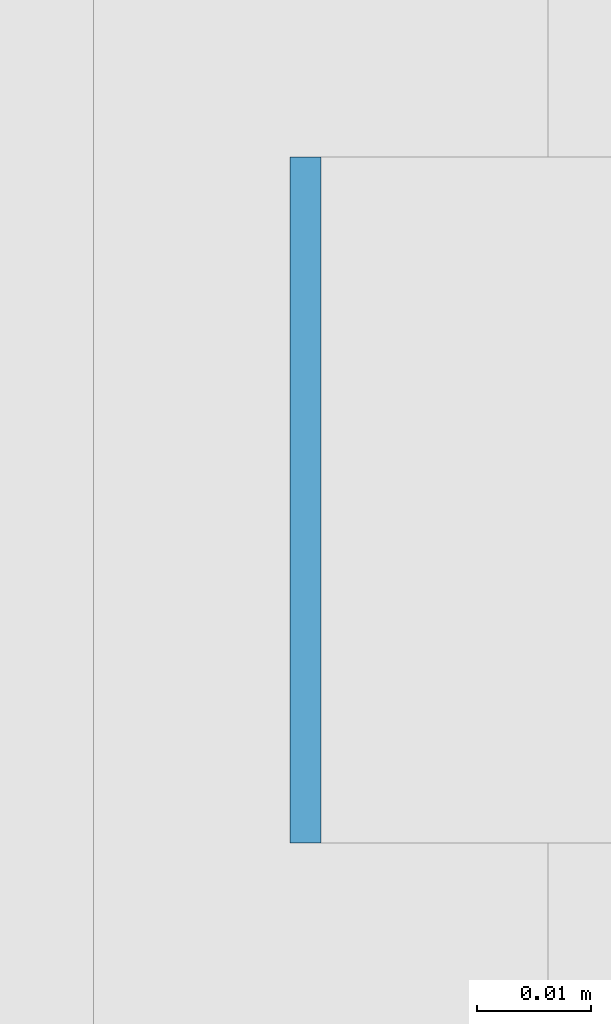
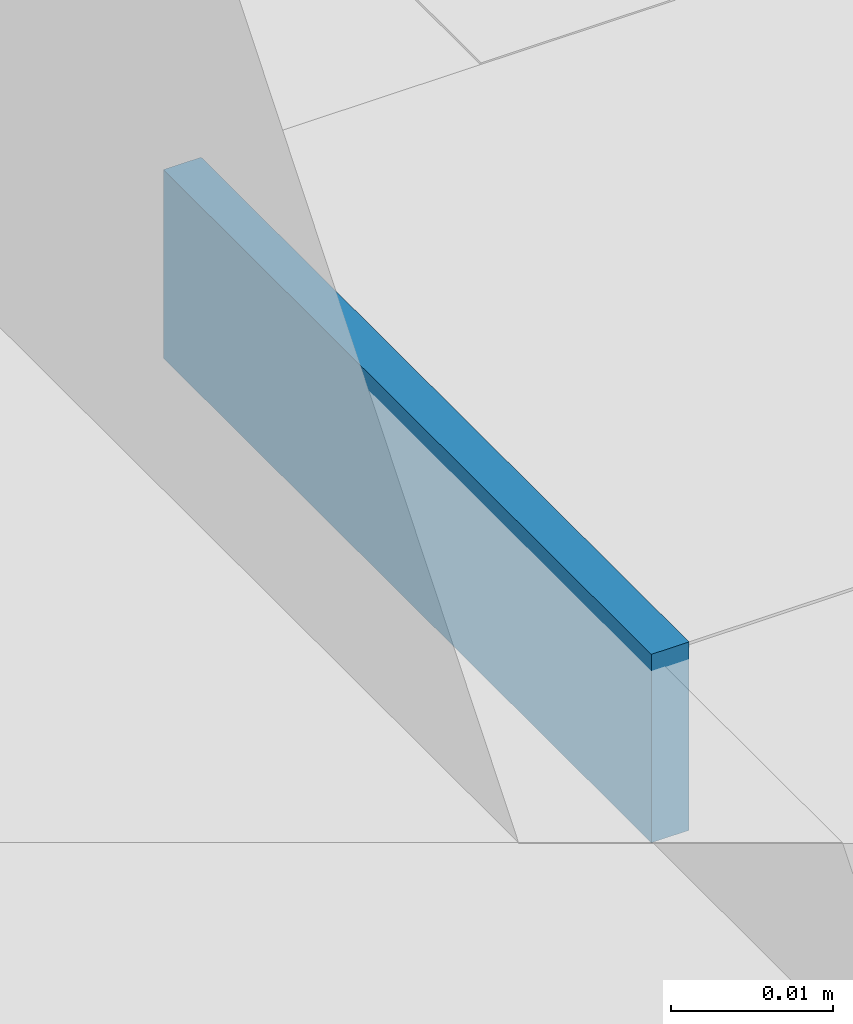
# One storey, part 495 of 646: 1 discrete accessory.
"""IFC4 building model written with IfcOpenShell, lengths in metres."""

import ifcopenshell
import ifcopenshell.guid

model = None  # the IFC model being written
_history = None  # IfcOwnerHistory: only IFC2X3 demands one
_inside = {}  # id of a spatial element -> (the spatial element, [elements in it])
_under = {}  # id of a project, library or spatial element -> (it, [spatial elements below it])
_declared = {}  # id of a project -> (the project, [libraries it declares])
_typed = {}  # id of a type object -> (the type object, [elements of that type])
_made_of = {}  # id of a material, layer set ... -> (it, [elements and type objects made of it])


def new_model(schema):
    """Start an empty IFC model of exactly this schema.

    Asked for "IFC4X3", IfcOpenShell would pick the latest addendum, in which some entities
    have other attributes; the version numbers below select the first issue.
    IFC2X3 requires an IfcOwnerHistory on every rooted entity: one is made here for all.
    """
    global model, _history
    if schema == "IFC4X3":
        model = ifcopenshell.file(schema_version=(4, 3, 0, 0))
    else:
        model = ifcopenshell.file(schema=schema)
    _inside.clear()
    _under.clear()
    _declared.clear()
    _typed.clear()
    _made_of.clear()
    _history = None
    if model.schema == "IFC2X3":
        org = make("IfcOrganization", Name="unknown")
        user = make(
            "IfcPersonAndOrganization",
            ThePerson=make("IfcPerson", FamilyName="unknown"),
            TheOrganization=org,
        )
        app = make(
            "IfcApplication",
            ApplicationDeveloper=org,
            Version="unknown",
            ApplicationFullName="unknown",
            ApplicationIdentifier="unknown",
        )
        _history = make(
            "IfcOwnerHistory",
            OwningUser=user,
            OwningApplication=app,
            ChangeAction="ADDED",
            CreationDate=0,
        )
    return model


def make(cls, **values):
    """One entity of the class cls with the attributes given. An attribute that is None is left unset."""
    return model.create_entity(
        cls, **{name: value for name, value in values.items() if value is not None}
    )


def rooted(cls, **values):
    """An entity with a GlobalId (a new one), such as an element, a storey or a relation."""
    return make(cls, GlobalId=ifcopenshell.guid.new(), OwnerHistory=_history, **values)


def si_unit(unit_type, name, prefix=None):
    """IfcSIUnit, for example si_unit("LENGTHUNIT", "METRE", prefix="MILLI")."""
    return make("IfcSIUnit", UnitType=unit_type, Prefix=prefix, Name=name)


def assignment(units):
    """IfcUnitAssignment: the units of a project."""
    return None if units is None else make("IfcUnitAssignment", Units=units)


def point(xyz):
    """IfcCartesianPoint."""
    return None if xyz is None else make("IfcCartesianPoint", Coordinates=xyz)


def direction(xyz):
    """IfcDirection."""
    return None if xyz is None else make("IfcDirection", DirectionRatios=xyz)


def frame(location, z_axis=None, x_axis=None):
    """IfcAxis2Placement3D, a coordinate frame: its origin and axes. An axis left out is left unset."""
    return make(
        "IfcAxis2Placement3D",
        Location=point(location),
        Axis=direction(z_axis),
        RefDirection=direction(x_axis),
    )


def frame_2d(location, x_axis=None):
    """IfcAxis2Placement2D, a coordinate frame in the plane: its origin and x axis."""
    return make(
        "IfcAxis2Placement2D", Location=point(location), RefDirection=direction(x_axis)
    )


def origin():
    """The frame at (0, 0, 0) with its axes left unset."""
    return frame((0.0, 0.0, 0.0))


def origin_2d():
    """The frame at (0, 0) in the plane with its x axis left unset."""
    return frame_2d((0.0, 0.0))


def place(relative_to, where):
    """IfcLocalPlacement: puts the frame where relative to a parent placement (None: the world)."""
    return make(
        "IfcLocalPlacement", PlacementRelTo=relative_to, RelativePlacement=where
    )


def context(
    kind, dimensions, precision=None, world=None, true_north=None, identifier=None
):
    """IfcGeometricRepresentationContext, for example the 3D "Model" context."""
    return make(
        "IfcGeometricRepresentationContext",
        ContextIdentifier=identifier,
        ContextType=kind,
        CoordinateSpaceDimension=dimensions,
        Precision=precision,
        WorldCoordinateSystem=world,
        TrueNorth=true_north,
    )


def subcontext(parent, identifier, kind, view, scale=None):
    """IfcGeometricRepresentationSubContext, for example "Body" below "Model"."""
    return make(
        "IfcGeometricRepresentationSubContext",
        ContextIdentifier=identifier,
        ContextType=kind,
        ParentContext=parent,
        TargetScale=scale,
        TargetView=view,
    )


def project(units=None, contexts=None):
    """IfcProject with its units and contexts."""
    return rooted(
        "IfcProject",
        Name="project",
        RepresentationContexts=contexts,
        UnitsInContext=assignment(units),
    )


def spatial(cls, under=None, at=None, **own):
    """A site, building, storey or space (cls), placed at a placement, below another one or the project."""
    s = rooted(cls, ObjectPlacement=at, **own)
    if under is not None:
        _under.setdefault(under.id(), (under, []))[1].append(s)
    return s


def profile(cls, at=None, kind="AREA", **sizes):
    """A parametric profile (cls). Its sizes go by their IFC names, for example OverallWidth=200.0."""
    return make(cls, ProfileType=kind, Position=at, **sizes)


def rectangle(**sizes):
    """IfcRectangleProfileDef."""
    return profile("IfcRectangleProfileDef", **sizes)


def extrude(swept, where, along, depth):
    """IfcExtrudedAreaSolid: the profile swept, set in the frame where, extruded along a direction by depth."""
    return make(
        "IfcExtrudedAreaSolid",
        SweptArea=swept,
        Position=where,
        ExtrudedDirection=direction(along),
        Depth=depth,
    )


def shape(context_of_items, identifier, shape_type, items):
    """IfcShapeRepresentation: the items that make up one representation, for example the "Body"."""
    return make(
        "IfcShapeRepresentation",
        ContextOfItems=context_of_items,
        RepresentationIdentifier=identifier,
        RepresentationType=shape_type,
        Items=items,
    )


def material(Name=None, Category=None):
    """IfcMaterial."""
    return make("IfcMaterial", Name=Name, Category=Category)


def made_of(thing, what):
    """Note that an element or type object is made of a material, layer set ...; save() writes the relation."""
    if what is not None:
        _made_of.setdefault(what.id(), (what, []))[1].append(thing)
    return thing


def type_object(cls, material=None, **own):
    """A type object (cls), such as IfcWallType, which elements share."""
    return made_of(rooted(cls, **own), material)


def element(
    cls,
    number,
    at=None,
    inside=None,
    cuts=None,
    type_object=None,
    material=None,
    context=None,
    identifier="Body",
    shape_type=None,
    held_by="IfcProductDefinitionShape",
    body=None,
    shapes=None,
    **own,
):
    """One element of the class cls, such as IfcWall. Its Tag is "e" and its number.

    at: its placement. inside: the storey or other place that contains it. cuts: it is an
    opening in that element (IfcRelVoidsElement). A single representation is given by context,
    identifier, shape_type and body (its items); several are given by shapes. held_by: the class
    of the entity that holds the representations. save() writes the other relations.
    """
    e = rooted(cls, Tag="e%d" % number, ObjectPlacement=at, **own)
    if body is not None:
        shapes = [shape(context, identifier, shape_type, body)]
    if shapes is not None:
        e.Representation = make(held_by, Representations=shapes)
    if inside is not None:
        _inside.setdefault(inside.id(), (inside, []))[1].append(e)
    if cuts is not None:
        rooted(
            "IfcRelVoidsElement", RelatingBuildingElement=cuts, RelatedOpeningElement=e
        )
    if type_object is not None:
        _typed.setdefault(type_object.id(), (type_object, []))[1].append(e)
    return made_of(e, material)


def aggregate(whole, parts):
    """IfcRelAggregates: a whole, such as a stair, and the parts it consists of."""
    return rooted("IfcRelAggregates", RelatingObject=whole, RelatedObjects=parts)


def save(model, path):
    """Write the relations noted so far, then the file.

    IfcRelAggregates (storeys below a building ...), IfcRelContainedInSpatialStructure (elements
    in a storey), IfcRelDefinesByType, IfcRelAssociatesMaterial and IfcRelDeclares: one each for
    every whole, place, type object, material and project.
    """
    for whole, parts in _under.values():
        aggregate(whole, parts)
    for where, things in _inside.values():
        rooted(
            "IfcRelContainedInSpatialStructure",
            RelatedElements=things,
            RelatingStructure=where,
        )
    for kind, things in _typed.values():
        rooted("IfcRelDefinesByType", RelatedObjects=things, RelatingType=kind)
    for what, things in _made_of.values():
        rooted("IfcRelAssociatesMaterial", RelatedObjects=things, RelatingMaterial=what)
    for by, libraries in _declared.values():
        rooted("IfcRelDeclares", RelatingContext=by, RelatedDefinitions=libraries)
    model.write(path)


model = new_model("IFC4")

# Units and contexts
model_context = context("Model", 3, precision=1e-05, world=origin(), true_north=direction((0.0, 1.0)))
body_context = subcontext(model_context, "Body", "Model", "MODEL_VIEW")
ifc_project = project(units=[si_unit("LENGTHUNIT", "METRE"), si_unit("AREAUNIT", "SQUARE_METRE"), si_unit("VOLUMEUNIT", "CUBIC_METRE"), si_unit("PLANEANGLEUNIT", "RADIAN"), si_unit("MASSUNIT", "GRAM", prefix="KILO")], contexts=[model_context])

# Site, building, storey
site_placement = place(None, origin())
site = spatial("IfcSite", under=ifc_project, at=site_placement, CompositionType="ELEMENT")
building_placement = place(site_placement, origin())
building = spatial("IfcBuilding", under=site, at=building_placement, Name="Silverbay Arena", CompositionType="ELEMENT")
storey_placement = place(building_placement, frame((0.0, 0.0, 33.5)))
storey = spatial("IfcBuildingStorey", under=building, at=storey_placement, Name="L05", CompositionType="ELEMENT", Elevation=33.5)

# Discrete accessory
ifc_material = material(Name="Steel S355", Category="steel")
discrete_accessory_type = type_object("IfcDiscreteAccessoryType", Name="Steel bracket plate", PredefinedType="BRACKET", material=ifc_material)
discrete_accessory_placement = place(storey_placement, frame((207.128662109375, 64.28564453125, 12.98583984375), z_axis=(0.0, 0.0, 1.0), x_axis=(1.0, 0.0, 0.0)))
element("IfcDiscreteAccessory", 1, at=discrete_accessory_placement, inside=storey, type_object=discrete_accessory_type, Name="Curtain wall packing plate", PredefinedType="BRACKET", context=body_context, shape_type="SweptSolid", body=[
    extrude(rectangle(XDim=0.002685546875, YDim=0.06005859375, at=origin_2d()), origin(), (0.0, 0.0, 1.0), 0.01416015625),
])

save(model, "model.ifc")
